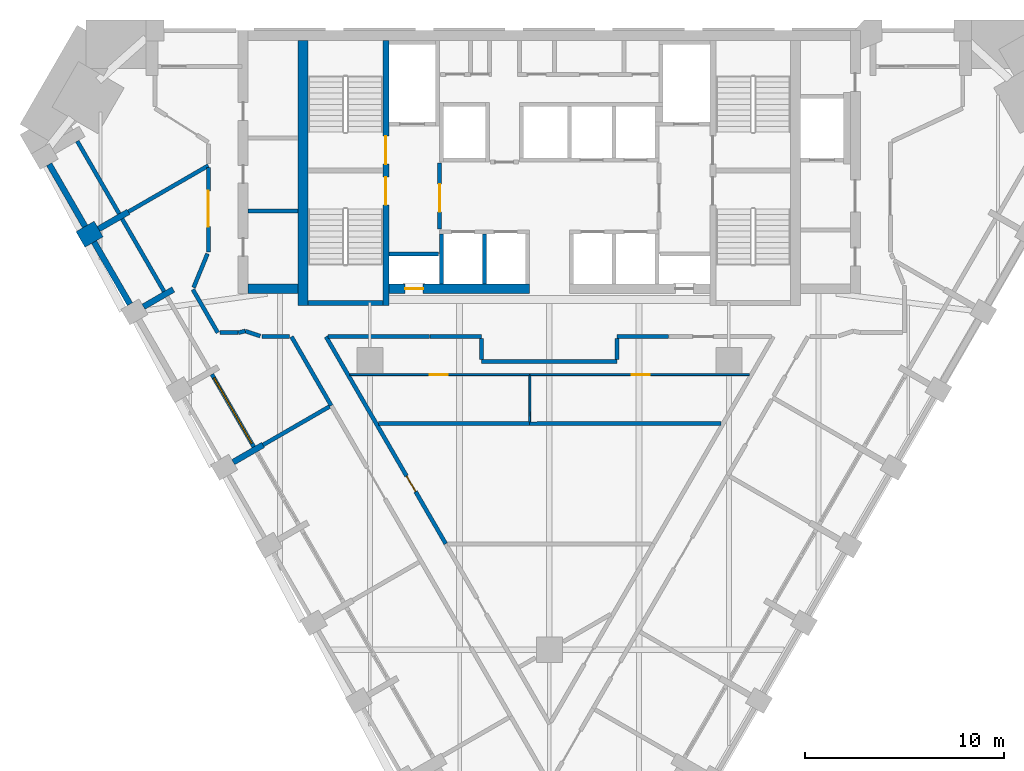
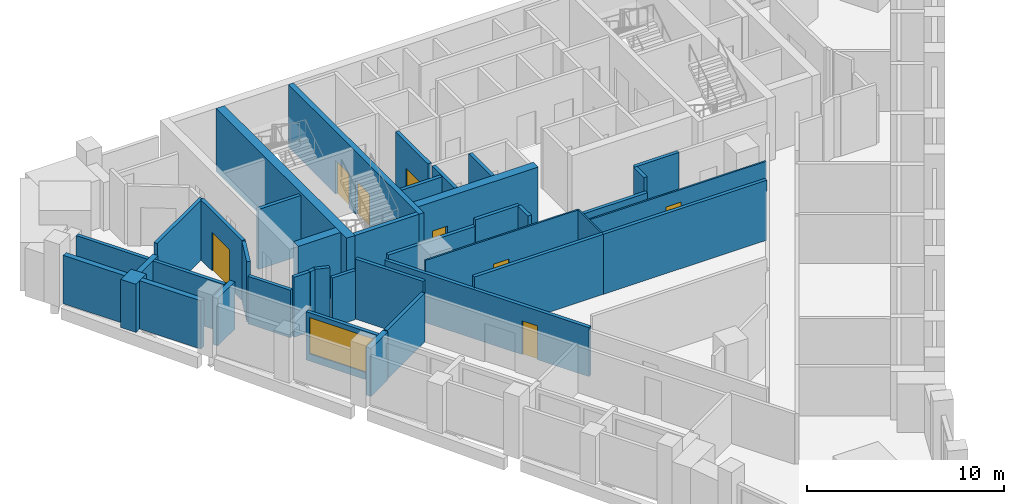
# One storey, part 4 of 9: 41 walls, 8 doors, 1 window, 9 openings.
"""IFC4 building model written with IfcOpenShell, lengths in metres."""

from ifc_helpers import new_model, si_unit, direction, frame, frame_2d, origin, place, context, subcontext, project, spatial, rectangle, extrude, material, layer, layer_set, type_object, element, fill, save


model = new_model("IFC4")

# Units and contexts
model_context = context("Model", 3, precision=1e-05, world=origin(), true_north=direction((0.0, 1.0)))
body_context = subcontext(model_context, "Body", "Model", "MODEL_VIEW")
ifc_project = project(units=[si_unit("LENGTHUNIT", "METRE"), si_unit("AREAUNIT", "SQUARE_METRE"), si_unit("VOLUMEUNIT", "CUBIC_METRE"), si_unit("PLANEANGLEUNIT", "RADIAN"), si_unit("MASSUNIT", "GRAM", prefix="KILO")], contexts=[model_context])

# Site, building, storey
site_placement = place(None, origin())
site = spatial("IfcSite", under=ifc_project, at=site_placement, CompositionType="ELEMENT")
building_placement = place(site_placement, origin())
building = spatial("IfcBuilding", under=site, at=building_placement, Name="Calabash Gate Tower", CompositionType="ELEMENT")
storey_placement = place(building_placement, frame((0.0, 0.0, 171.89990234375)))
storey = spatial("IfcBuildingStorey", under=building, at=storey_placement, Name="L40", CompositionType="ELEMENT", Elevation=171.89990234375)

# Walls
ifc_material_1 = material(Name="Terracotta brick masonry, exposed face", Category="masonry")
ifc_layer_1 = layer(ifc_material_1, 1.050048828125)
ifc_layer_set_1 = layer_set([ifc_layer_1], Name="Brick end wall 1050")
wall_type_1 = type_object("IfcWallType", Name="Brick end wall 1050", PredefinedType="SOLIDWALL", material=ifc_layer_set_1)
wall_1_placement = place(storey_placement, frame((-23.50830078125, 8.573486328125, 0.0), z_axis=(0.0, 0.0, 1.0), x_axis=(0.865988129768, 0.500064554934, 0.0)))
element("IfcWall", 1, at=wall_1_placement, inside=storey, type_object=wall_type_1, Name="Brick pier S11 SW0.1", PredefinedType="SOLIDWALL", context=body_context, shape_type="SweptSolid", body=[
    extrude(rectangle(XDim=1.050048828125, YDim=0.89990234375, at=frame_2d((0.52490234375, 0.0))), origin(), (0.0, 0.0, 1.0), 3.0),
])
ifc_material_2 = material(Name="Terracotta brick masonry, exposed face", Category="masonry")
ifc_layer_2 = layer(ifc_material_2, 0.300048828125)
ifc_layer_set_2 = layer_set([ifc_layer_2], Name="Brick infill panel wall 300")
wall_type_2 = type_object("IfcWallType", Name="Brick infill panel wall 300", PredefinedType="SOLIDWALL", material=ifc_layer_set_2)
for number, where, z_axis, x_axis, name in (
    (2, (-25.07861328125, 12.343505859375, 0.0), (0.0, 0.0, 1.0), (0.500012057535, -0.866018442252, 0.0), "Brick panel S11 SW0.1"),
    (3, (-22.82861328125, 8.4462890625, 0.0), (0.0, 0.0, 1.0), (0.500012057535, -0.866018442252, 0.0), "Brick panel S11 SW0.2"),
):
    element("IfcWall", number, at=place(storey_placement, frame(where, z_axis=z_axis, x_axis=x_axis)), inside=storey, type_object=wall_type_2, Name=name, PredefinedType="SOLIDWALL", context=body_context, shape_type="SweptSolid", body=[
        extrude(rectangle(XDim=3.60009765625, YDim=0.300048828125, at=frame_2d((1.800048828125, 0.0))), origin(), (0.0, 0.0, 1.0), 3.0),
    ])
ifc_material_3 = material(Name="Terracotta brick masonry, exposed face", Category="masonry")
ifc_layer_3 = layer(ifc_material_3, 0.300048828125)
ifc_layer_set_3 = layer_set([ifc_layer_3], Name="Brick loggia cheek wall 300")
wall_type_3 = type_object("IfcWallType", Name="Brick loggia cheek wall 300", PredefinedType="SOLIDWALL", material=ifc_layer_set_3)
wall_2_placement = place(storey_placement, frame((-21.10498046875, 9.9609375, 0.0), z_axis=(0.0, 0.0, 1.0), x_axis=(-0.866074815912, -0.499914405916, 0.0)))
element("IfcWall", 4, at=wall_2_placement, inside=storey, type_object=wall_type_3, Name="Loggia cheek S11 SW0.1", PredefinedType="SOLIDWALL", context=body_context, shape_type="SweptSolid", body=[
    extrude(rectangle(XDim=1.724853515625, YDim=0.300048828125, at=frame_2d((0.8623046875, 0.0))), origin(), (0.0, 0.0, 1.0), 3.0),
])
wall_3_placement = place(storey_placement, frame((-20.348876953125, 5.201416015625, 0.0), z_axis=(0.0, 0.0, 1.0), x_axis=(0.866013532718, 0.500020560727, 0.0)))
element("IfcWall", 5, at=wall_3_placement, inside=storey, type_object=wall_type_3, Name="Loggia cheek S11 SW0.2", PredefinedType="SOLIDWALL", context=body_context, shape_type="SweptSolid", body=[
    extrude(rectangle(XDim=1.72509765625, YDim=0.300048828125, at=frame_2d((0.862548828125, 0.0))), origin(), (0.0, 0.0, 1.0), 2.9501953125),
])
wall_4_placement = place(storey_placement, frame((-15.84814453125, -2.59228515625, 0.0), z_axis=(0.0, 0.0, 1.0), x_axis=(0.866029956157, 0.499992114976, 0.0)))
element("IfcWall", 6, at=wall_4_placement, inside=storey, type_object=wall_type_3, Name="Loggia cheek S11 SW0.4", PredefinedType="SOLIDWALL", context=body_context, shape_type="SweptSolid", body=[
    extrude(rectangle(XDim=1.72412109375, YDim=0.300048828125, at=frame_2d((0.862060546875, 0.0))), origin(), (0.0, 0.0, 1.0), 3.0),
])
ifc_material_4 = material(Name="Gypsum board on steel studs, mineral wool", Category="steel")
ifc_layer_4 = layer(ifc_material_4, 0.199951171875)
ifc_layer_set_4 = layer_set([ifc_layer_4], Name="Core partition 200 gypsum board")
wall_type_4 = type_object("IfcWallType", Name="Core partition 200 gypsum board", PredefinedType="PARTITIONING", material=ifc_layer_set_4)
wall_5_placement = place(storey_placement, frame((-15.10009765625, 10.0126953125, 0.0), z_axis=(0.0, 0.0, 1.0), x_axis=(1.0, 0.0, 0.0)))
element("IfcWall", 7, at=wall_5_placement, inside=storey, type_object=wall_type_4, Name="Core partition", PredefinedType="PARTITIONING", context=body_context, shape_type="SweptSolid", body=[
    extrude(rectangle(XDim=2.5, YDim=0.199951171875, at=frame_2d((1.25, 0.0))), origin(), (0.0, 0.0, 1.0), 3.72998046875),
])
ifc_material_5 = material(Name="Concrete C70/85", Category="concrete")
ifc_layer_5 = layer(ifc_material_5, 0.25)
ifc_layer_set_5 = layer_set([ifc_layer_5], Name="Core wall 250 Concrete C70/85")
wall_type_5 = type_object("IfcWallType", Name="Core wall 250 Concrete C70/85", PredefinedType="SHEAR", material=ifc_layer_set_5)
wall_6_placement = place(storey_placement, frame((-12.10009765625, 5.377685546875, 0.0), z_axis=(0.0, 0.0, 1.0), x_axis=(1.0, 0.0, 0.0)))
element("IfcWall", 8, at=wall_6_placement, inside=storey, type_object=wall_type_5, Name="Core wall Z3-SSW L40", PredefinedType="SHEAR", context=body_context, shape_type="SweptSolid", body=[
    extrude(rectangle(XDim=3.75, YDim=0.25, at=frame_2d((1.875, 0.0))), origin(), (0.0, 0.0, 1.0), 3.900146484375),
])

# Wall, openings, doors
ifc_material_6 = material(Name="Concrete C70/85", Category="concrete")
ifc_layer_6 = layer(ifc_material_6, 0.300048828125)
ifc_layer_set_6 = layer_set([ifc_layer_6], Name="Core wall 300 Concrete C70/85")
wall_type_6 = type_object("IfcWallType", Name="Core wall 300 Concrete C70/85", PredefinedType="SHEAR", material=ifc_layer_set_6)
wall_7_placement = place(storey_placement, frame((-8.199951171875, 5.252685546875, 0.0), z_axis=(0.0, 0.0, 1.0), x_axis=(0.0, 1.0, 0.0)))
wall_7 = element("IfcWall", 9, at=wall_7_placement, inside=storey, type_object=wall_type_6, Name="Core wall Z3-PARTW L40", PredefinedType="SHEAR", context=body_context, shape_type="SweptSolid", body=[
    extrude(rectangle(XDim=13.2998046875, YDim=0.300048828125, at=frame_2d((6.64990234375, 0.0))), origin(), (0.0, 0.0, 1.0), 3.900146484375),
])
opening_1_placement = place(wall_7_placement, frame((7.10009765625, 0.0, 0.0)))
opening_1 = element("IfcOpeningElement", 10, at=opening_1_placement, cuts=wall_7, Name="Opening O3-017", PredefinedType="OPENING", context=body_context, shape_type="SweptSolid", body=[
    extrude(rectangle(XDim=1.39990234375, YDim=2.10009765625, at=frame_2d((0.699951171875, 1.050048828125))), frame((0.0, 0.159912109375, 0.0), z_axis=(0.0, -1.0, 0.0), x_axis=(1.0, 0.0, 0.0)), (0.0, 0.0, 1.0), 0.320068359375),
])
opening_2_placement = place(wall_7_placement, frame((5.050048828125, 0.0, 0.0)))
opening_2 = element("IfcOpeningElement", 11, at=opening_2_placement, cuts=wall_7, Name="Opening O3-018", PredefinedType="OPENING", context=body_context, shape_type="SweptSolid", body=[
    extrude(rectangle(XDim=1.39990234375, YDim=2.10009765625, at=frame_2d((0.699951171875, 1.050048828125))), frame((0.0, 0.159912109375, 0.0), z_axis=(0.0, -1.0, 0.0), x_axis=(1.0, 0.0, 0.0)), (0.0, 0.0, 1.0), 0.320068359375),
])
ifc_material_7 = material(Name="Steel fire door set with fire-resisting glazing", Category="steel")
door_type_1 = type_object("IfcDoorType", Name="Fire door D05 1400x2100 FD90", OperationType="NOTDEFINED", PredefinedType="DOOR", material=ifc_material_7)
door_1_placement = place(opening_1_placement, origin())
door_1 = element("IfcDoor", 12, at=door_1_placement, inside=storey, type_object=door_type_1, Name="Exit stair door ST1", OperationType="SINGLE_SWING_LEFT", OverallHeight=2.10009765625, OverallWidth=1.39990234375, PredefinedType="DOOR", context=body_context, shape_type="SweptSolid", body=[
    extrude(rectangle(XDim=1.39990234375, YDim=2.10009765625, at=frame_2d((0.699951171875, 1.050048828125))), frame((0.0, 0.02490234375, 0.0), z_axis=(0.0, -1.0, 0.0), x_axis=(1.0, 0.0, 0.0)), (0.0, 0.0, 1.0), 0.050048828125),
])
fill(opening_1, door_1)
door_2_placement = place(opening_2_placement, origin())
door_2 = element("IfcDoor", 13, at=door_2_placement, inside=storey, type_object=door_type_1, Name="Exit stair door ST2", OperationType="SINGLE_SWING_LEFT", OverallHeight=2.10009765625, OverallWidth=1.39990234375, PredefinedType="DOOR", context=body_context, shape_type="SweptSolid", body=[
    extrude(rectangle(XDim=1.39990234375, YDim=2.10009765625, at=frame_2d((0.699951171875, 1.050048828125))), frame((0.0, 0.02490234375, 0.0), z_axis=(0.0, -1.0, 0.0), x_axis=(1.0, 0.0, 0.0)), (0.0, 0.0, 1.0), 0.050048828125),
])
fill(opening_2, door_2)

# Wall
ifc_material_8 = material(Name="Concrete C70/85", Category="concrete")
ifc_layer_7 = layer(ifc_material_8, 0.5)
ifc_layer_set_7 = layer_set([ifc_layer_7], Name="Core wall 500 Concrete C70/85")
wall_type_7 = type_object("IfcWallType", Name="Core wall 500 Concrete C70/85", PredefinedType="SHEAR", material=ifc_layer_set_7)
wall_8_placement = place(storey_placement, frame((-12.35009765625, 5.252685546875, 0.0), z_axis=(0.0, 0.0, 1.0), x_axis=(0.0, 1.0, 0.0)))
element("IfcWall", 14, at=wall_8_placement, inside=storey, type_object=wall_type_7, Name="Core wall Z3-COLW L40", PredefinedType="SHEAR", context=body_context, shape_type="SweptSolid", body=[
    extrude(rectangle(XDim=13.2998046875, YDim=0.5, at=frame_2d((6.64990234375, 0.0))), origin(), (0.0, 0.0, 1.0), 3.900146484375),
])

# Wall, opening, door
wall_9_placement = place(storey_placement, frame((-8.050048828125, 6.1025390625, 0.0), z_axis=(0.0, 0.0, 1.0), x_axis=(1.0, 0.0, 0.0)))
wall_9 = element("IfcWall", 15, at=wall_9_placement, inside=storey, type_object=wall_type_7, Name="Core wall Z3-SA L40", PredefinedType="SHEAR", context=body_context, shape_type="SweptSolid", body=[
    extrude(rectangle(XDim=7.050048828125, YDim=0.5, at=frame_2d((3.52490234375, 0.0))), origin(), (0.0, 0.0, 1.0), 3.900146484375),
])
opening_3_placement = place(wall_9_placement, frame((0.824951171875, 0.0, 0.0)))
opening_3 = element("IfcOpeningElement", 16, at=opening_3_placement, cuts=wall_9, Name="Opening O3-016", PredefinedType="OPENING", context=body_context, shape_type="SweptSolid", body=[
    extrude(rectangle(XDim=0.89990234375, YDim=2.10009765625, at=frame_2d((0.449951171875, 1.050048828125))), frame((0.0, 0.260009765625, 0.0), z_axis=(0.0, -1.0, 0.0), x_axis=(1.0, 0.0, 0.0)), (0.0, 0.0, 1.0), 0.52001953125),
])
ifc_material_9 = material(Name="Steel fire door set with fire-resisting glazing", Category="steel")
door_type_2 = type_object("IfcDoorType", Name="Fire door D07 900x2100 FD90", OperationType="NOTDEFINED", PredefinedType="DOOR", material=ifc_material_9)
door_3_placement = place(opening_3_placement, origin())
door_3 = element("IfcDoor", 17, at=door_3_placement, inside=storey, type_object=door_type_2, Name="Electrical Riser W door", OperationType="SINGLE_SWING_LEFT", OverallHeight=2.10009765625, OverallWidth=0.89990234375, PredefinedType="DOOR", context=body_context, shape_type="SweptSolid", body=[
    extrude(rectangle(XDim=0.89990234375, YDim=2.10009765625, at=frame_2d((0.449951171875, 1.050048828125))), frame((0.0, 0.02490234375, 0.0), z_axis=(0.0, -1.0, 0.0), x_axis=(1.0, 0.0, 0.0)), (0.0, 0.0, 1.0), 0.050048828125),
])
fill(opening_3, door_3)

# Walls
wall_10_placement = place(storey_placement, frame((-12.60009765625, 6.1025390625, 0.0), z_axis=(0.0, 0.0, 1.0), x_axis=(-1.0, 0.0, 0.0)))
element("IfcWall", 18, at=wall_10_placement, inside=storey, type_object=wall_type_7, Name="Core wall Z3-SW L40", PredefinedType="SHEAR", context=body_context, shape_type="SweptSolid", body=[
    extrude(rectangle(XDim=2.5, YDim=0.5, at=frame_2d((1.25, 0.0))), origin(), (0.0, 0.0, 1.0), 3.900146484375),
])
ifc_material_10 = material(Name="Gypsum board on steel studs, mineral wool", Category="steel")
ifc_layer_8 = layer(ifc_material_10, 0.10009765625)
ifc_layer_set_8 = layer_set([ifc_layer_8], Name="Partition 100 gypsum board")
wall_type_8 = type_object("IfcWallType", Name="Partition 100 gypsum board", PredefinedType="PARTITIONING", material=ifc_layer_set_8)
wall_11_placement = place(storey_placement, frame((-0.98193359375, -0.56689453125, 0.0), z_axis=(0.0, 0.0, 1.0), x_axis=(0.000738240676, 0.9999997275, 0.0)))
element("IfcWall", 19, at=wall_11_placement, inside=storey, type_object=wall_type_8, Name="Partition", PredefinedType="PARTITIONING", context=body_context, shape_type="SweptSolid", body=[
    extrude(rectangle(XDim=2.31494140625, YDim=0.10009765625, at=frame_2d((1.157470703125, 0.0))), origin(), (0.0, 0.0, 1.0), 3.72998046875),
])

# Wall, opening, door
wall_12_placement = place(storey_placement, frame((-10.0, 1.7998046875, 0.0), z_axis=(0.0, 0.0, 1.0), x_axis=(0.999999982043, -0.000189511868, 0.0)))
wall_12 = element("IfcWall", 20, at=wall_12_placement, inside=storey, type_object=wall_type_8, Name="Partition", PredefinedType="PARTITIONING", context=body_context, shape_type="SweptSolid", body=[
    extrude(rectangle(XDim=9.017822265625, YDim=0.10009765625, at=frame_2d((4.5087890625, 0.0))), origin(), (0.0, 0.0, 1.0), 3.72998046875),
])
opening_4_placement = place(wall_12_placement, frame((4.0087890625, 0.0, 0.0)))
opening_4 = element("IfcOpeningElement", 21, at=opening_4_placement, cuts=wall_12, Name="Opening 39-41-015", PredefinedType="OPENING", context=body_context, shape_type="SweptSolid", body=[
    extrude(rectangle(XDim=0.89990234375, YDim=2.10009765625, at=frame_2d((0.449951171875, 1.050048828125))), frame((0.0, 0.06005859375, 0.0), z_axis=(0.0, -1.0, 0.0), x_axis=(1.0, 0.0, 0.0)), (0.0, 0.0, 1.0), 0.1201171875),
])
ifc_material_11 = material(Name="Painted timber door", Category="wood")
door_type_3 = type_object("IfcDoorType", Name="WD1 WC door 900x2100", OperationType="NOTDEFINED", PredefinedType="DOOR", material=ifc_material_11)
door_4_placement = place(opening_4_placement, origin())
door_4 = element("IfcDoor", 22, at=door_4_placement, inside=storey, type_object=door_type_3, Name="WC door", OperationType="SINGLE_SWING_RIGHT", OverallHeight=2.10009765625, OverallWidth=0.89990234375, PredefinedType="DOOR", context=body_context, shape_type="SweptSolid", body=[
    extrude(rectangle(XDim=0.89990234375, YDim=2.10009765625, at=frame_2d((0.449951171875, 1.050048828125))), frame((0.0, 0.02490234375, 0.0), z_axis=(0.0, -1.0, 0.0), x_axis=(1.0, 0.0, 0.0)), (0.0, 0.0, 1.0), 0.050048828125),
])
fill(opening_4, door_4)

wall_13_placement = place(storey_placement, frame((-0.980224609375, 1.798095703125, 0.0), z_axis=(0.0, 0.0, 1.0), x_axis=(1.0, 0.0, 0.0)))
wall_13 = element("IfcWall", 23, at=wall_13_placement, inside=storey, type_object=wall_type_8, Name="Partition", PredefinedType="PARTITIONING", context=body_context, shape_type="SweptSolid", body=[
    extrude(rectangle(XDim=11.0146484375, YDim=0.10009765625, at=frame_2d((5.50732421875, 0.0))), origin(), (0.0, 0.0, 1.0), 2.88427734375),
])
opening_5_placement = place(wall_13_placement, frame((5.10693359375, 0.0, 0.0)))
opening_5 = element("IfcOpeningElement", 24, at=opening_5_placement, cuts=wall_13, Name="Opening 39-41-016", PredefinedType="OPENING", context=body_context, shape_type="SweptSolid", body=[
    extrude(rectangle(XDim=0.89990234375, YDim=2.10009765625, at=frame_2d((0.449951171875, 1.050048828125))), frame((0.0, 0.06005859375, 0.0), z_axis=(0.0, -1.0, 0.0), x_axis=(1.0, 0.0, 0.0)), (0.0, 0.0, 1.0), 0.1201171875),
])
door_5_placement = place(opening_5_placement, origin())
door_5 = element("IfcDoor", 25, at=door_5_placement, inside=storey, type_object=door_type_3, Name="WC door", OperationType="SINGLE_SWING_LEFT", OverallHeight=2.10009765625, OverallWidth=0.89990234375, PredefinedType="DOOR", context=body_context, shape_type="SweptSolid", body=[
    extrude(rectangle(XDim=0.89990234375, YDim=2.10009765625, at=frame_2d((0.449951171875, 1.050048828125))), frame((0.0, 0.02490234375, 0.0), z_axis=(0.0, -1.0, 0.0), x_axis=(1.0, 0.0, 0.0)), (0.0, 0.0, 1.0), 0.050048828125),
])
fill(opening_5, door_5)

# Walls
ifc_material_12 = material(Name="Gypsum board on steel studs, mineral wool", Category="steel")
ifc_layer_9 = layer(ifc_material_12, 0.199951171875)
ifc_layer_set_9 = layer_set([ifc_layer_9], Name="Partition 200 gypsum board EI 60")
wall_type_9 = type_object("IfcWallType", Name="Partition 200 gypsum board EI 60", PredefinedType="PARTITIONING", material=ifc_layer_set_9)
wall_14_placement = place(storey_placement, frame((-14.355224609375, -1.72998046875, 0.0), z_axis=(0.0, 0.0, 1.0), x_axis=(0.865832714873, 0.500333598567, 0.0)))
element("IfcWall", 26, at=wall_14_placement, inside=storey, type_object=wall_type_9, Name="Partition", PredefinedType="PARTITIONING", context=body_context, shape_type="SweptSolid", body=[
    extrude(rectangle(XDim=3.849365234375, YDim=0.199951171875, at=frame_2d((1.9248046875, 0.0))), origin(), (0.0, 0.0, 1.0), 3.052001953125),
])
wall_15_placement = place(storey_placement, frame((-8.57470703125, -0.665283203125, 0.0), z_axis=(0.0, 0.0, 1.0), x_axis=(0.999999999483, 3.2155375e-05, 0.0)))
element("IfcWall", 27, at=wall_15_placement, inside=storey, type_object=wall_type_9, Name="Partition", PredefinedType="PARTITIONING", context=body_context, shape_type="SweptSolid", body=[
    extrude(rectangle(XDim=7.592529296875, YDim=0.199951171875, at=frame_2d((3.79638671875, 0.0))), origin(), (0.0, 0.0, 1.0), 3.72998046875),
])
wall_16_placement = place(storey_placement, frame((-0.98193359375, -0.666748046875, 0.0), z_axis=(0.0, 0.0, 1.0), x_axis=(0.999999988339, 0.000152714498, 0.0)))
element("IfcWall", 28, at=wall_16_placement, inside=storey, type_object=wall_type_9, Name="Partition", PredefinedType="PARTITIONING", context=body_context, shape_type="SweptSolid", body=[
    extrude(rectangle(XDim=9.592041015625, YDim=0.199951171875, at=frame_2d((4.7958984375, 0.0))), origin(), (0.0, 0.0, 1.0), 3.72998046875),
])
wall_17_placement = place(storey_placement, frame((-12.929443359375, 3.699462890625, 0.0), z_axis=(0.0, 0.0, 1.0), x_axis=(0.499667701935, -0.866217171177, 0.0)))
element("IfcWall", 29, at=wall_17_placement, inside=storey, type_object=wall_type_9, Name="Partition", PredefinedType="PARTITIONING", context=body_context, shape_type="SweptSolid", body=[
    extrude(rectangle(XDim=3.989013671875, YDim=0.199951171875, at=frame_2d((1.99462890625, 0.0))), origin(), (0.0, 0.0, 1.0), 3.72998046875),
])
wall_18_placement = place(storey_placement, frame((-3.39990234375, 2.452392578125, 0.0), z_axis=(0.0, 0.0, 1.0), x_axis=(1.0, 0.0, 0.0)))
element("IfcWall", 30, at=wall_18_placement, inside=storey, type_object=wall_type_9, Name="Partition", PredefinedType="PARTITIONING", context=body_context, shape_type="SweptSolid", body=[
    extrude(rectangle(XDim=6.7998046875, YDim=0.199951171875, at=frame_2d((3.39990234375, 0.0))), origin(), (0.0, 0.0, 1.0), 2.88427734375),
])
for number, where, z_axis, x_axis, name in (
    (31, (-3.40185546875, 3.598388671875, 0.0), (0.0, 0.0, 1.0), (0.001633984747, -0.999998665046, 0.0), "Partition"),
    (32, (3.400146484375, 2.552490234375, 0.0), (0.0, 0.0, 1.0), (0.001633984747, 0.999998665046, 0.0), "Partition"),
):
    element("IfcWall", number, at=place(storey_placement, frame(where, z_axis=z_axis, x_axis=x_axis)), inside=storey, type_object=wall_type_9, Name=name, PredefinedType="PARTITIONING", context=body_context, shape_type="SweptSolid", body=[
        extrude(rectangle(XDim=1.0458984375, YDim=0.199951171875, at=frame_2d((0.52294921875, 0.0))), origin(), (0.0, 0.0, 1.0), 3.72998046875),
    ])
wall_19_placement = place(storey_placement, frame((-14.400146484375, 3.699462890625, 0.0), z_axis=(0.0, 0.0, 1.0), x_axis=(1.0, 0.0, 0.0)))
element("IfcWall", 33, at=wall_19_placement, inside=storey, type_object=wall_type_9, Name="Partition", PredefinedType="PARTITIONING", context=body_context, shape_type="SweptSolid", body=[
    extrude(rectangle(XDim=1.37060546875, YDim=0.199951171875, at=frame_2d((0.685302734375, 0.0))), origin(), (0.0, 0.0, 1.0), 3.052001953125),
])

# Wall, opening, door
wall_20_placement = place(storey_placement, frame((-11.197998046875, 3.69921875, 0.0), z_axis=(0.0, 0.0, 1.0), x_axis=(0.500539648856, -0.865713613109, 0.0)))
wall_20 = element("IfcWall", 34, at=wall_20_placement, inside=storey, type_object=wall_type_9, Name="Partition", PredefinedType="PARTITIONING", context=body_context, shape_type="SweptSolid", body=[
    extrude(rectangle(XDim=11.997314453125, YDim=0.199951171875, at=frame_2d((5.99853515625, 0.0))), origin(), (0.0, 0.0, 1.0), 3.052001953125),
])
opening_6_placement = place(wall_20_placement, frame((8.069580078125, 0.0, 0.0)))
opening_6 = element("IfcOpeningElement", 35, at=opening_6_placement, cuts=wall_20, Name="Opening 39-41-008", PredefinedType="OPENING", context=body_context, shape_type="SweptSolid", body=[
    extrude(rectangle(XDim=0.89990234375, YDim=2.10009765625, at=frame_2d((0.449951171875, 1.050048828125))), frame((0.0, 0.10986328125, 0.0), z_axis=(0.0, -1.0, 0.0), x_axis=(1.0, 0.0, 0.0)), (0.0, 0.0, 1.0), 0.219970703125),
])
ifc_material_13 = material(Name="Steel fire door set with fire-resisting glazing", Category="steel")
door_type_4 = type_object("IfcDoorType", Name="SD3 Store door 900x2100", OperationType="NOTDEFINED", PredefinedType="DOOR", material=ifc_material_13)
door_6_placement = place(opening_6_placement, origin())
door_6 = element("IfcDoor", 36, at=door_6_placement, inside=storey, type_object=door_type_4, Name="Store door", OperationType="SINGLE_SWING_RIGHT", OverallHeight=2.10009765625, OverallWidth=0.89990234375, PredefinedType="DOOR", context=body_context, shape_type="SweptSolid", body=[
    extrude(rectangle(XDim=0.89990234375, YDim=2.10009765625, at=frame_2d((0.449951171875, 1.050048828125))), frame((0.0, 0.02490234375, 0.0), z_axis=(0.0, -1.0, 0.0), x_axis=(1.0, 0.0, 0.0)), (0.0, 0.0, 1.0), 0.050048828125),
])
fill(opening_6, door_6)

# Walls
wall_21_placement = place(storey_placement, frame((-11.0966796875, 3.69970703125, 0.0), z_axis=(0.0, 0.0, 1.0), x_axis=(1.0, 0.0, 0.0)))
element("IfcWall", 37, at=wall_21_placement, inside=storey, type_object=wall_type_9, Name="Partition", PredefinedType="PARTITIONING", context=body_context, shape_type="SweptSolid", body=[
    extrude(rectangle(XDim=5.0966796875, YDim=0.199951171875, at=frame_2d((2.54833984375, 0.0))), origin(), (0.0, 0.0, 1.0), 3.331787109375),
])
for number, where, z_axis, x_axis, name in (
    (38, (-5.986328125, 3.699951171875, 0.0), (0.0, 0.0, 1.0), (0.999999839346, -0.000566839777, 0.0), "Partition"),
    (39, (3.402099609375, 3.698486328125, 0.0), (0.0, 0.0, 1.0), (0.999999839346, 0.000566839777, 0.0), "Partition"),
):
    element("IfcWall", number, at=place(storey_placement, frame(where, z_axis=z_axis, x_axis=x_axis)), inside=storey, type_object=wall_type_9, Name=name, PredefinedType="PARTITIONING", context=body_context, shape_type="SweptSolid", body=[
        extrude(rectangle(XDim=2.584228515625, YDim=0.199951171875, at=frame_2d((1.2919921875, 0.0))), origin(), (0.0, 0.0, 1.0), 3.72998046875),
    ])
wall_22_placement = place(storey_placement, frame((-15.24560546875, 3.9814453125, 0.0), z_axis=(0.0, 0.0, 1.0), x_axis=(0.948683298051, -0.316227766017, 0.0)))
element("IfcWall", 40, at=wall_22_placement, inside=storey, type_object=wall_type_9, Name="Partition", PredefinedType="PARTITIONING", context=body_context, shape_type="SweptSolid", body=[
    extrude(rectangle(XDim=0.791259765625, YDim=0.199951171875, at=frame_2d((0.3955078125, 0.0))), origin(), (0.0, 0.0, 1.0), 3.72998046875),
])
wall_23_placement = place(storey_placement, frame((-17.87646484375, 6.068115234375, 0.0), z_axis=(0.0, 0.0, 1.0), x_axis=(0.499998165157, -0.866026463129, 0.0)))
element("IfcWall", 41, at=wall_23_placement, inside=storey, type_object=wall_type_9, Name="Partition", PredefinedType="PARTITIONING", context=body_context, shape_type="SweptSolid", body=[
    extrude(rectangle(XDim=2.50390625, YDim=0.199951171875, at=frame_2d((1.251953125, 0.0))), origin(), (0.0, 0.0, 1.0), 2.9501953125),
])
wall_24_placement = place(storey_placement, frame((-16.5244140625, 3.899658203125, 0.0), z_axis=(0.0, 0.0, 1.0), x_axis=(0.999999965136, -0.000264061253, 0.0)))
element("IfcWall", 42, at=wall_24_placement, inside=storey, type_object=wall_type_9, Name="Partition", PredefinedType="PARTITIONING", context=body_context, shape_type="SweptSolid", body=[
    extrude(rectangle(XDim=0.924560546875, YDim=0.199951171875, at=frame_2d((0.46240234375, 0.0))), origin(), (0.0, 0.0, 1.0), 3.72998046875),
])
wall_25_placement = place(storey_placement, frame((-15.599853515625, 3.8994140625, 0.0), z_axis=(0.0, 0.0, 1.0), x_axis=(0.974221178676, 0.225594980038, 0.0)))
element("IfcWall", 43, at=wall_25_placement, inside=storey, type_object=wall_type_9, Name="Partition", PredefinedType="PARTITIONING", context=body_context, shape_type="SweptSolid", body=[
    extrude(rectangle(XDim=0.363525390625, YDim=0.199951171875, at=frame_2d((0.181640625, 0.0))), origin(), (0.0, 0.0, 1.0), 3.72998046875),
])
wall_26_placement = place(storey_placement, frame((-17.83837890625, 6.16064453125, 0.0), z_axis=(0.0, 0.0, 1.0), x_axis=(0.380716398764, 0.924691853383, 0.0)))
element("IfcWall", 44, at=wall_26_placement, inside=storey, type_object=wall_type_9, Name="Partition", PredefinedType="PARTITIONING", context=body_context, shape_type="SweptSolid", body=[
    extrude(rectangle(XDim=1.837890625, YDim=0.199951171875, at=frame_2d((0.9189453125, 0.0))), origin(), (0.0, 0.0, 1.0), 3.72998046875),
])

# Wall, opening, door
wall_27_placement = place(storey_placement, frame((-17.10205078125, 12.172119140625, 0.0), z_axis=(0.0, 0.0, 1.0), x_axis=(0.00034716193, -0.999999939739, 0.0)))
wall_27 = element("IfcWall", 45, at=wall_27_placement, inside=storey, type_object=wall_type_9, Name="Partition", PredefinedType="PARTITIONING", context=body_context, shape_type="SweptSolid", body=[
    extrude(rectangle(XDim=4.219482421875, YDim=0.199951171875, at=frame_2d((2.10986328125, 0.0))), origin(), (0.0, 0.0, 1.0), 3.72998046875),
])
opening_7_placement = place(wall_27_placement, frame((1.1591796875, 0.0, 0.0)))
opening_7 = element("IfcOpeningElement", 46, at=opening_7_placement, cuts=wall_27, Name="Opening 39-41-009", PredefinedType="OPENING", context=body_context, shape_type="SweptSolid", body=[
    extrude(rectangle(XDim=1.800048828125, YDim=2.39990234375, at=frame_2d((0.89990234375, 1.199951171875))), frame((0.0, 0.10986328125, 0.0), z_axis=(0.0, -1.0, 0.0), x_axis=(1.0, 0.0, 0.0)), (0.0, 0.0, 1.0), 0.219970703125),
])
ifc_material_14 = material(Name="Steel fire door set with fire-resisting glazing", Category="steel")
door_type_5 = type_object("IfcDoorType", Name="TD1 Tenancy entrance double door 1800x2400", OperationType="NOTDEFINED", PredefinedType="DOOR", material=ifc_material_14)
door_7_placement = place(opening_7_placement, origin())
door_7 = element("IfcDoor", 47, at=door_7_placement, inside=storey, type_object=door_type_5, Name="Tenancy entrance double door", OperationType="DOUBLE_DOOR_SINGLE_SWING", OverallHeight=2.39990234375, OverallWidth=1.800048828125, PredefinedType="DOOR", context=body_context, shape_type="SweptSolid", body=[
    extrude(rectangle(XDim=1.800048828125, YDim=2.39990234375, at=frame_2d((0.89990234375, 1.199951171875))), frame((0.0, 0.02490234375, 0.0), z_axis=(0.0, -1.0, 0.0), x_axis=(1.0, 0.0, 0.0)), (0.0, 0.0, 1.0), 0.050048828125),
])
fill(opening_7, door_7)

# Walls
wall_28_placement = place(storey_placement, frame((-21.105224609375, 9.961181640625, 0.0), z_axis=(0.0, 0.0, 1.0), x_axis=(0.8658488129, 0.500305739723, 0.0)))
element("IfcWall", 48, at=wall_28_placement, inside=storey, type_object=wall_type_9, Name="Partition", PredefinedType="PARTITIONING", context=body_context, shape_type="SweptSolid", body=[
    extrude(rectangle(XDim=4.625, YDim=0.199951171875, at=frame_2d((2.3125, 0.0))), origin(), (0.0, 0.0, 1.0), 3.72998046875),
])
ifc_material_15 = material(Name="Concrete C40/50", Category="concrete")
ifc_layer_10 = layer(ifc_material_15, 0.199951171875)
ifc_layer_set_10 = layer_set([ifc_layer_10], Name="Shaft wall 200 Concrete C40/50")
wall_type_10 = type_object("IfcWallType", Name="Shaft wall 200 Concrete C40/50", PredefinedType="SOLIDWALL", material=ifc_layer_set_10)
for number, where, z_axis, x_axis, name in (
    (49, (-5.39990234375, 6.3525390625, 0.0), (0.0, 0.0, 1.0), (0.0, 1.0, 0.0), "Shaft wall"),
    (50, (-3.25, 6.3525390625, 0.0), (0.0, 0.0, 1.0), (0.0, 1.0, 0.0), "Shaft wall"),
    (51, (-8.050048828125, 7.8525390625, 0.0), (0.0, 0.0, 1.0), (1.0, 0.0, 0.0), "Shaft wall"),
):
    element("IfcWall", number, at=place(storey_placement, frame(where, z_axis=z_axis, x_axis=x_axis)), inside=storey, type_object=wall_type_10, Name=name, PredefinedType="SOLIDWALL", context=body_context, shape_type="SweptSolid", body=[
        extrude(rectangle(XDim=2.5, YDim=0.199951171875, at=frame_2d((1.25, 0.0))), origin(), (0.0, 0.0, 1.0), 3.72998046875),
    ])

# Wall, opening, door
wall_29_placement = place(storey_placement, frame((-5.5, 9.1025390625, 0.0), z_axis=(0.0, 0.0, 1.0), x_axis=(0.0, 1.0, 0.0)))
wall_29 = element("IfcWall", 52, at=wall_29_placement, inside=storey, type_object=wall_type_10, Name="Shaft wall", PredefinedType="SOLIDWALL", context=body_context, shape_type="SweptSolid", body=[
    extrude(rectangle(XDim=3.300048828125, YDim=0.199951171875, at=frame_2d((1.64990234375, 0.0))), origin(), (0.0, 0.0, 1.0), 3.72998046875),
])
opening_8_placement = place(wall_29_placement, frame((0.85009765625, 0.0, 0.0)))
opening_8 = element("IfcOpeningElement", 53, at=opening_8_placement, cuts=wall_29, Name="Opening O3-009", PredefinedType="OPENING", context=body_context, shape_type="SweptSolid", body=[
    extrude(rectangle(XDim=1.39990234375, YDim=2.10009765625, at=frame_2d((0.699951171875, 1.050048828125))), frame((0.0, 0.10986328125, 0.0), z_axis=(0.0, -1.0, 0.0), x_axis=(1.0, 0.0, 0.0)), (0.0, 0.0, 1.0), 0.219970703125),
])
door_8_placement = place(opening_8_placement, origin())
door_8 = element("IfcDoor", 54, at=door_8_placement, inside=storey, type_object=door_type_1, Name="Firefighting Lobby W door", OperationType="SINGLE_SWING_RIGHT", OverallHeight=2.10009765625, OverallWidth=1.39990234375, PredefinedType="DOOR", context=body_context, shape_type="SweptSolid", body=[
    extrude(rectangle(XDim=1.39990234375, YDim=2.10009765625, at=frame_2d((0.699951171875, 1.050048828125))), frame((0.0, 0.02490234375, 0.0), z_axis=(0.0, -1.0, 0.0), x_axis=(1.0, 0.0, 0.0)), (0.0, 0.0, 1.0), 0.050048828125),
])
fill(opening_8, door_8)

# Walls
ifc_material_16 = material(Name="Aluminium framed window wall with insulated spandrel", Category="aluminium")
ifc_layer_11 = layer(ifc_material_16, 0.199951171875)
ifc_layer_set_11 = layer_set([ifc_layer_11], Name="Window wall 200")
wall_type_11 = type_object("IfcWallType", Name="Window wall 200", PredefinedType="ELEMENTEDWALL", material=ifc_layer_set_11)
wall_30_placement = place(storey_placement, frame((-23.669921875, 13.503173828125, 0.0), z_axis=(0.0, 0.0, 1.0), x_axis=(0.500027713859, -0.866009402589, 0.0)))
element("IfcWall", 55, at=wall_30_placement, inside=storey, type_object=wall_type_11, Name="Window wall S11 SW0.1", PredefinedType="ELEMENTEDWALL", context=body_context, shape_type="SweptSolid", body=[
    extrude(rectangle(XDim=4.199951171875, YDim=0.199951171875, at=frame_2d((2.10009765625, 0.0))), origin(), (0.0, 0.0, 1.0), 3.0),
])
wall_31_placement = place(storey_placement, frame((-21.419921875, 9.606201171875, 0.0), z_axis=(0.0, 0.0, 1.0), x_axis=(0.500002543286, -0.866023935413, 0.0)))
element("IfcWall", 56, at=wall_31_placement, inside=storey, type_object=wall_type_11, Name="Window wall S11 SW0.2", PredefinedType="ELEMENTEDWALL", context=body_context, shape_type="SweptSolid", body=[
    extrude(rectangle(XDim=4.2001953125, YDim=0.199951171875, at=frame_2d((2.10009765625, 0.0))), origin(), (0.0, 0.0, 1.0), 3.0),
])

# Wall, opening, window
wall_32_placement = place(storey_placement, frame((-16.919921875, 1.81201171875, 0.0), z_axis=(0.0, 0.0, 1.0), x_axis=(0.500002543286, -0.866023935413, 0.0)))
wall_32 = element("IfcWall", 57, at=wall_32_placement, inside=storey, type_object=wall_type_11, Name="Window wall S11 SW0.4", PredefinedType="ELEMENTEDWALL", context=body_context, shape_type="SweptSolid", body=[
    extrude(rectangle(XDim=4.2001953125, YDim=0.199951171875, at=frame_2d((2.10009765625, 0.0))), origin(), (0.0, 0.0, 1.0), 3.0),
])
opening_9_placement = place(wall_32_placement, frame((0.199951171875, 0.0, 0.449951171875)))
opening_9 = element("IfcOpeningElement", 58, at=opening_9_placement, cuts=wall_32, Name="Opening OW2", PredefinedType="OPENING", context=body_context, shape_type="SweptSolid", body=[
    extrude(rectangle(XDim=3.800048828125, YDim=2.25, at=frame_2d((1.89990234375, 1.125))), frame((0.0, 0.10986328125, 0.0), z_axis=(0.0, -1.0, 0.0), x_axis=(1.0, 0.0, 0.0)), (0.0, 0.0, 1.0), 0.219970703125),
])
ifc_material_17 = material(Name="Anodised aluminium frame, bronze finish, impact-rated laminated clear glazing", Category="aluminium")
window_type = type_object("IfcWindowType", Name="Window OW2 3800x2250", PartitioningType="TRIPLE_PANEL_VERTICAL", PredefinedType="WINDOW", material=ifc_material_17)
window_placement = place(opening_9_placement, origin())
window = element("IfcWindow", 59, at=window_placement, inside=storey, type_object=window_type, Name="Window OW2 S11 SW0.4", OverallHeight=2.25, OverallWidth=3.800048828125, PartitioningType="SINGLE_PANEL", PredefinedType="WINDOW", context=body_context, shape_type="SweptSolid", body=[
    extrude(rectangle(XDim=3.800048828125, YDim=2.25, at=frame_2d((1.89990234375, 1.125))), frame((0.0, 0.030029296875, 0.0), z_axis=(0.0, -1.0, 0.0), x_axis=(1.0, 0.0, 0.0)), (0.0, 0.0, 1.0), 0.06005859375),
])
fill(opening_9, window)

save(model, "model.ifc")
